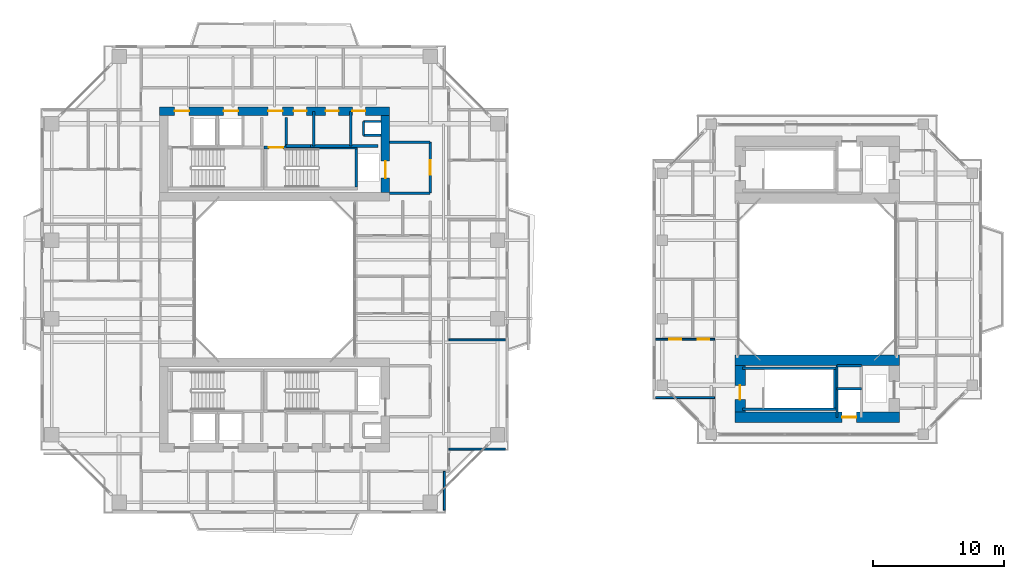
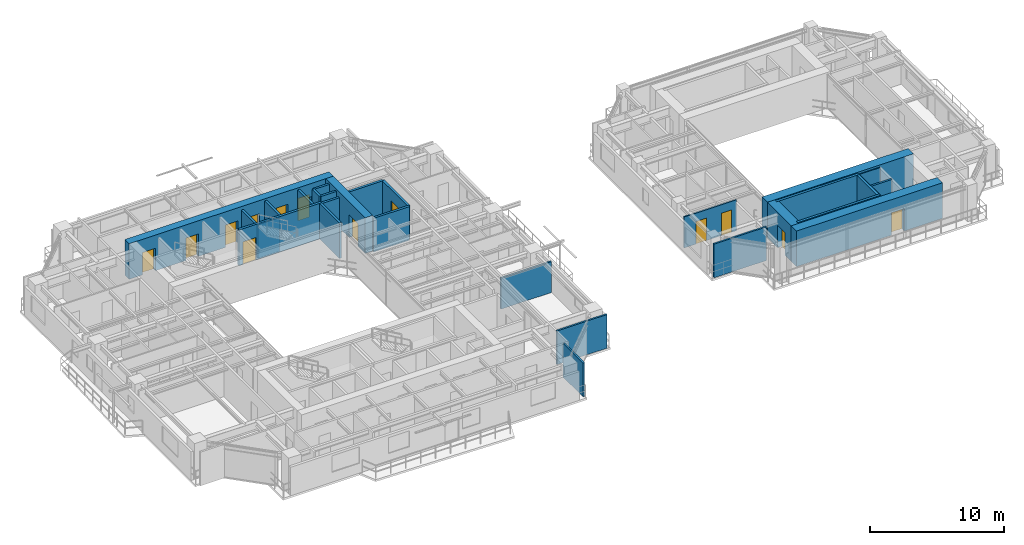
# One storey, part 16 of 24: 29 walls, 13 doors, 13 openings.
"""IFC4 building model written with IfcOpenShell, lengths in metres."""

from ifc_helpers import new_model, si_unit, direction, frame, frame_2d, origin, place, context, subcontext, project, spatial, rectangle, extrude, source, transform, mapped, material, layer, layer_set, type_object, element, fill, save


model = new_model("IFC4")

# Units and contexts
model_context = context("Model", 3, precision=1e-05, world=origin(), true_north=direction((0.0, 1.0)))
body_context = subcontext(model_context, "Body", "Model", "MODEL_VIEW")
ifc_project = project(units=[si_unit("LENGTHUNIT", "METRE"), si_unit("AREAUNIT", "SQUARE_METRE"), si_unit("VOLUMEUNIT", "CUBIC_METRE"), si_unit("PLANEANGLEUNIT", "RADIAN"), si_unit("MASSUNIT", "GRAM", prefix="KILO"), si_unit("THERMODYNAMICTEMPERATUREUNIT", "KELVIN"), si_unit("POWERUNIT", "WATT")], contexts=[model_context])

# Site, building, storey
site_placement = place(None, origin())
site = spatial("IfcSite", under=ifc_project, at=site_placement, CompositionType="ELEMENT")
building_placement = place(site_placement, origin())
building = spatial("IfcBuilding", under=site, at=building_placement, Name="Qiaomeng Ring Towers", CompositionType="ELEMENT")
storey_placement = place(building_placement, frame((0.0, 0.0, 110.0)))
storey = spatial("IfcBuildingStorey", under=building, at=storey_placement, Name="L31", CompositionType="ELEMENT", Elevation=110.0)

# Walls
ifc_material_1 = material(Name="Autoclaved aerated concrete block", Category="concrete")
ifc_layer_1 = layer(ifc_material_1, 0.199951171875, Name="Autoclaved aerated concrete block")
ifc_layer_set_1 = layer_set([ifc_layer_1], Name="Autoclaved aerated concrete block")
wall_type_1 = type_object("IfcWallType", Name="ARC-WL-PW1", PredefinedType="PARTITIONING", material=ifc_layer_set_1)
for number, where, z_axis, x_axis, name in (
    (1, (27.800048828125, 29.60009765625, 0.0), (0.0, 0.0, 1.0), (1.0, 0.0, 0.0), "L31 Interior Wall PW1"),
    (2, (27.800048828125, 33.5, 0.0), (0.0, 0.0, 1.0), (1.0, 0.0, 0.0), "L31 Interior Wall PW1"),
):
    element("IfcWall", number, at=place(storey_placement, frame(where, z_axis=z_axis, x_axis=x_axis)), inside=storey, type_object=wall_type_1, Name=name, PredefinedType="PARTITIONING", context=body_context, shape_type="SweptSolid", body=[
        extrude(rectangle(XDim=3.099853515625, YDim=0.199951171875, at=frame_2d((1.5498046875, 0.0))), origin(), (0.0, 0.0, 1.0), 3.070068359375),
    ])

# Wall, opening, door
wall_1_placement = place(storey_placement, frame((30.89990234375, 29.60009765625, 0.0), z_axis=(0.0, 0.0, 1.0), x_axis=(0.0, 1.0, 0.0)))
wall_1 = element("IfcWall", 3, at=wall_1_placement, inside=storey, type_object=wall_type_1, Name="L31 Interior Wall PW1", PredefinedType="PARTITIONING", context=body_context, shape_type="SweptSolid", body=[
    extrude(rectangle(XDim=3.89990234375, YDim=0.199951171875, at=frame_2d((1.949951171875, 0.0))), origin(), (0.0, 0.0, 1.0), 3.070068359375),
])
opening_1_placement = place(wall_1_placement, frame((1.39990234375, 0.0, 0.0)))
opening_1 = element("IfcOpeningElement", 4, at=opening_1_placement, cuts=wall_1, Name="Opening FD3", PredefinedType="OPENING", context=body_context, shape_type="SweptSolid", body=[
    extrude(rectangle(XDim=1.10009765625, YDim=2.050048828125, at=frame_2d((0.550048828125, 1.02490234375))), frame((0.0, 0.10986328125, 0.0), z_axis=(0.0, -1.0, 0.0), x_axis=(1.0, 0.0, 0.0)), (0.0, 0.0, 1.0), 0.219970703125),
])
ifc_material_2 = material(Name="Galvanised steel", Category="steel")
door_type_1 = type_object("IfcDoorType", Name="ARC-DR-FD3", OperationType="NOTDEFINED", PredefinedType="DOOR", material=ifc_material_2)
shared_shape_1 = source(origin(), body_context, "Body", "SweptSolid", [
    extrude(rectangle(XDim=1.10009765625, YDim=2.050048828125, at=frame_2d((0.550048828125, 1.02490234375))), frame((0.0, 0.02490234375, 0.0), z_axis=(0.0, -1.0, 0.0), x_axis=(1.0, 0.0, 0.0)), (0.0, 0.0, 1.0), 0.050048828125),
])
door_1_placement = place(opening_1_placement, origin())
door_1 = element("IfcDoor", 5, at=door_1_placement, inside=storey, type_object=door_type_1, Name="L31 North FF Lobby Door", OperationType="SINGLE_SWING_LEFT", OverallHeight=2.050048828125, OverallWidth=1.10009765625, PredefinedType="DOOR", context=body_context, shape_type="MappedRepresentation", body=[
    mapped(shared_shape_1, transform((0.0, 0.0, 0.0), x_axis=(1.0, 0.0, 0.0), y_axis=(0.0, 1.0, 0.0), z_axis=(0.0, 0.0, 1.0), scale=1.0)),
])
fill(opening_1, door_1)

# Walls
wall_2_placement = place(storey_placement, frame((19.8798828125, 33.18994140625, 0.0), z_axis=(0.0, 0.0, 1.0), x_axis=(0.0, 1.0, 0.0)))
element("IfcWall", 6, at=wall_2_placement, inside=storey, type_object=wall_type_1, Name="L31 Interior Wall PW1", PredefinedType="PARTITIONING", context=body_context, shape_type="SweptSolid", body=[
    extrude(rectangle(XDim=2.2099609375, YDim=0.199951171875, at=frame_2d((1.10498046875, 0.0))), origin(), (0.0, 0.0, 1.0), 3.070068359375),
])
wall_3_placement = place(storey_placement, frame((24.820068359375, 33.199951171875, 0.0), z_axis=(0.0, 0.0, 1.0), x_axis=(0.0, 1.0, 0.0)))
element("IfcWall", 7, at=wall_3_placement, inside=storey, type_object=wall_type_1, Name="L31 Interior Wall PW1", PredefinedType="PARTITIONING", context=body_context, shape_type="SweptSolid", body=[
    extrude(rectangle(XDim=2.650146484375, YDim=0.199951171875, at=frame_2d((1.3251953125, 0.0))), origin(), (0.0, 0.0, 1.0), 3.070068359375),
])
wall_4_placement = place(storey_placement, frame((19.8798828125, 33.199951171875, 0.0), z_axis=(0.0, 0.0, 1.0), x_axis=(1.0, 0.0, 0.0)))
element("IfcWall", 8, at=wall_4_placement, inside=storey, type_object=wall_type_1, Name="L31 Interior Wall PW1", PredefinedType="PARTITIONING", context=body_context, shape_type="SweptSolid", body=[
    extrude(rectangle(XDim=1.8701171875, YDim=0.199951171875, at=frame_2d((0.93505859375, 0.0))), origin(), (0.0, 0.0, 1.0), 3.070068359375),
])
wall_5_placement = place(storey_placement, frame((21.97998046875, 33.199951171875, 0.0), z_axis=(0.0, 0.0, 1.0), x_axis=(0.0, 1.0, 0.0)))
element("IfcWall", 9, at=wall_5_placement, inside=storey, type_object=wall_type_1, Name="L31 Interior Wall PW1", PredefinedType="PARTITIONING", context=body_context, shape_type="SweptSolid", body=[
    extrude(rectangle(XDim=2.650146484375, YDim=0.199951171875, at=frame_2d((1.3251953125, 0.0))), origin(), (0.0, 0.0, 1.0), 3.070068359375),
])
wall_6_placement = place(storey_placement, frame((21.75, 33.199951171875, 0.0), z_axis=(0.0, 0.0, 1.0), x_axis=(1.0, 0.0, 0.0)))
element("IfcWall", 10, at=wall_6_placement, inside=storey, type_object=wall_type_1, Name="L31 Interior Wall PW1", PredefinedType="PARTITIONING", context=body_context, shape_type="SweptSolid", body=[
    extrude(rectangle(XDim=5.169921875, YDim=0.199951171875, at=frame_2d((2.5849609375, 0.0))), origin(), (0.0, 0.0, 1.0), 3.070068359375),
])
ifc_material_3 = material(Name="Gypsum fireboard steel-stud partition", Category="steel")
ifc_layer_2 = layer(ifc_material_3, 0.14990234375, Name="Gypsum fireboard steel-stud partition")
ifc_layer_set_2 = layer_set([ifc_layer_2], Name="Gypsum fireboard steel-stud partition")
wall_type_2 = type_object("IfcWallType", Name="ARC-WL-PW3", PredefinedType="PARTITIONING", material=ifc_layer_set_2)
wall_7_placement = place(storey_placement, frame((31.97998046875, 5.35009765625, 0.0), z_axis=(0.0, 0.0, 1.0), x_axis=(0.0, 1.0, 0.0)))
element("IfcWall", 11, at=wall_7_placement, inside=storey, type_object=wall_type_2, Name="L31 Interior Wall PW3", PredefinedType="PARTITIONING", context=body_context, shape_type="SweptSolid", body=[
    extrude(rectangle(XDim=2.9599609375, YDim=0.14990234375, at=frame_2d((1.47998046875, 0.0))), origin(), (0.0, 0.0, 1.0), 3.070068359375),
])
wall_8_placement = place(storey_placement, frame((32.320068359375, 10.02001953125, 0.0), z_axis=(0.0, 0.0, 1.0), x_axis=(1.0, 0.0, 0.0)))
element("IfcWall", 12, at=wall_8_placement, inside=storey, type_object=wall_type_2, Name="L31 Interior Wall PW3", PredefinedType="PARTITIONING", context=body_context, shape_type="SweptSolid", body=[
    extrude(rectangle(XDim=4.329833984375, YDim=0.14990234375, at=frame_2d((2.1650390625, 0.0))), origin(), (0.0, 0.0, 1.0), 3.070068359375),
])
wall_9_placement = place(storey_placement, frame((32.320068359375, 18.3701171875, 0.0), z_axis=(0.0, 0.0, 1.0), x_axis=(1.0, 0.0, 0.0)))
element("IfcWall", 13, at=wall_9_placement, inside=storey, type_object=wall_type_2, Name="L31 Interior Wall PW3", PredefinedType="PARTITIONING", context=body_context, shape_type="SweptSolid", body=[
    extrude(rectangle(XDim=4.329833984375, YDim=0.14990234375, at=frame_2d((2.1650390625, 0.0))), origin(), (0.0, 0.0, 1.0), 2.821044921875),
])
wall_10_placement = place(storey_placement, frame((48.14990234375, 13.949951171875, 0.0), z_axis=(0.0, 0.0, 1.0), x_axis=(1.0, 0.0, 0.0)))
element("IfcWall", 14, at=wall_10_placement, inside=storey, type_object=wall_type_2, Name="L31 Interior Wall PW3", PredefinedType="PARTITIONING", context=body_context, shape_type="SweptSolid", body=[
    extrude(rectangle(XDim=4.5, YDim=0.14990234375, at=frame_2d((2.25, 0.0))), origin(), (0.0, 0.0, 1.0), 3.070068359375),
])

# Wall, openings, doors
ifc_material_4 = material(Name="Moisture-resistant gypsum steel-stud partition", Category="steel")
ifc_layer_3 = layer(ifc_material_4, 0.1201171875, Name="Moisture-resistant gypsum steel-stud partition")
ifc_layer_set_3 = layer_set([ifc_layer_3], Name="Moisture-resistant gypsum steel-stud partition")
wall_type_3 = type_object("IfcWallType", Name="ARC-WL-PW4", PredefinedType="PLUMBINGWALL", material=ifc_layer_set_3)
wall_11_placement = place(storey_placement, frame((48.14990234375, 18.419921875, 0.0), z_axis=(0.0, 0.0, 1.0), x_axis=(1.0, 0.0, 0.0)))
wall_11 = element("IfcWall", 15, at=wall_11_placement, inside=storey, type_object=wall_type_3, Name="L31 Interior Wall PW4", PredefinedType="PLUMBINGWALL", context=body_context, shape_type="SweptSolid", body=[
    extrude(rectangle(XDim=4.5, YDim=0.1201171875, at=frame_2d((2.25, 0.0))), origin(), (0.0, 0.0, 1.0), 2.821044921875),
])
opening_2_placement = place(wall_11_placement, frame((1.035888671875, 0.0, 0.0)))
opening_2 = element("IfcOpeningElement", 16, at=opening_2_placement, cuts=wall_11, Name="Opening ID1", PredefinedType="OPENING", context=body_context, shape_type="SweptSolid", body=[
    extrude(rectangle(XDim=0.89990234375, YDim=2.050048828125, at=frame_2d((0.449951171875, 1.02490234375))), frame((0.0, 0.070068359375, 0.0), z_axis=(0.0, -1.0, 0.0), x_axis=(1.0, 0.0, 0.0)), (0.0, 0.0, 1.0), 0.14013671875),
])
opening_3_placement = place(wall_11_placement, frame((3.22998046875, 0.0, 0.0)))
opening_3 = element("IfcOpeningElement", 17, at=opening_3_placement, cuts=wall_11, Name="Opening ID2", PredefinedType="OPENING", context=body_context, shape_type="SweptSolid", body=[
    extrude(rectangle(XDim=0.85009765625, YDim=2.050048828125, at=frame_2d((0.425048828125, 1.02490234375))), frame((0.0, 0.070068359375, 0.0), z_axis=(0.0, -1.0, 0.0), x_axis=(1.0, 0.0, 0.0)), (0.0, 0.0, 1.0), 0.14013671875),
])
ifc_material_5 = material(Name="Moisture-resistant engineered timber", Category="wood")
door_type_2 = type_object("IfcDoorType", Name="ARC-DR-ID2", OperationType="NOTDEFINED", PredefinedType="DOOR", material=ifc_material_5)
shared_shape_2 = source(origin(), body_context, "Body", "SweptSolid", [
    extrude(rectangle(XDim=0.85009765625, YDim=2.050048828125, at=frame_2d((0.425048828125, 1.02490234375))), frame((0.0, 0.02490234375, 0.0), z_axis=(0.0, -1.0, 0.0), x_axis=(1.0, 0.0, 0.0)), (0.0, 0.0, 1.0), 0.050048828125),
])
door_2_placement = place(opening_3_placement, origin())
door_2 = element("IfcDoor", 18, at=door_2_placement, inside=storey, type_object=door_type_2, Name="L31 Door ID2", OperationType="SINGLE_SWING_LEFT", OverallHeight=2.050048828125, OverallWidth=0.85009765625, PredefinedType="DOOR", context=body_context, shape_type="MappedRepresentation", body=[
    mapped(shared_shape_2, transform((0.0, 0.0, 0.0), x_axis=(1.0, 0.0, 0.0), y_axis=(0.0, 1.0, 0.0), z_axis=(0.0, 0.0, 1.0), scale=1.0)),
])
fill(opening_3, door_2)
ifc_material_6 = material(Name="Engineered oak timber", Category="wood")
door_type_3 = type_object("IfcDoorType", Name="ARC-DR-ID1", OperationType="NOTDEFINED", PredefinedType="DOOR", material=ifc_material_6)
shared_shape_3 = source(origin(), body_context, "Body", "SweptSolid", [
    extrude(rectangle(XDim=0.89990234375, YDim=2.050048828125, at=frame_2d((0.449951171875, 1.02490234375))), frame((0.0, 0.02490234375, 0.0), z_axis=(0.0, -1.0, 0.0), x_axis=(1.0, 0.0, 0.0)), (0.0, 0.0, 1.0), 0.050048828125),
])
door_3_placement = place(opening_2_placement, origin())
door_3 = element("IfcDoor", 19, at=door_3_placement, inside=storey, type_object=door_type_3, Name="L31 Door ID1", OperationType="SINGLE_SWING_RIGHT", OverallHeight=2.050048828125, OverallWidth=0.89990234375, PredefinedType="DOOR", context=body_context, shape_type="MappedRepresentation", body=[
    mapped(shared_shape_3, transform((0.0, 0.0, 0.0), x_axis=(1.0, 0.0, 0.0), y_axis=(0.0, 1.0, 0.0), z_axis=(0.0, 0.0, 1.0), scale=1.0)),
])
fill(opening_2, door_3)

# Walls
ifc_material_7 = material(Name="Concrete C40", Category="concrete")
ifc_layer_4 = layer(ifc_material_7, 0.199951171875, Name="Concrete C40")
ifc_layer_set_4 = layer_set([ifc_layer_4], Name="Concrete C40")
wall_type_4 = type_object("IfcWallType", Name="STR-WL-STSHAFT", PredefinedType="SHEAR", material=ifc_layer_set_4)
wall_12_placement = place(storey_placement, frame((25.800048828125, 34.02001953125, 0.0), z_axis=(0.0, 0.0, 1.0), x_axis=(0.0, 1.0, 0.0)))
element("IfcWall", 20, at=wall_12_placement, inside=storey, type_object=wall_type_4, Name="L31 Riser RSR1 West Shaft Wall N", PredefinedType="SHEAR", context=body_context, shape_type="SweptSolid", body=[
    extrude(rectangle(XDim=1.06005859375, YDim=0.179931640625, at=frame_2d((0.530029296875, 0.0))), origin(), (0.0, 0.0, 1.0), 3.070068359375),
])
for number, where, z_axis, x_axis, name in (
    (21, (25.800048828125, 35.080078125, 0.0), (0.0, 0.0, 1.0), (1.0, 0.0, 0.0), "L31 Riser RSR1 North Shaft Wall N"),
    (22, (25.800048828125, 34.02001953125, 0.0), (0.0, 0.0, 1.0), (1.0, 0.0, 0.0), "L31 Riser RSR1 South Shaft Wall N"),
):
    element("IfcWall", number, at=place(storey_placement, frame(where, z_axis=z_axis, x_axis=x_axis)), inside=storey, type_object=wall_type_4, Name=name, PredefinedType="SHEAR", context=body_context, shape_type="SweptSolid", body=[
        extrude(rectangle(XDim=1.349853515625, YDim=0.179931640625, at=frame_2d((0.6748046875, 0.0))), origin(), (0.0, 0.0, 1.0), 3.070068359375),
    ])
wall_13_placement = place(storey_placement, frame((62.02001953125, 12.449951171875, 0.0), z_axis=(0.0, 0.0, 1.0), x_axis=(0.0, 1.0, 0.0)))
element("IfcWall", 23, at=wall_13_placement, inside=storey, type_object=wall_type_4, Name="L31 Companion Lift Shaft West Wall S", PredefinedType="SHEAR", context=body_context, shape_type="SweptSolid", body=[
    extrude(rectangle(XDim=3.949951171875, YDim=0.179931640625, at=frame_2d((1.97509765625, 0.0))), origin(), (0.0, 0.0, 1.0), 3.070068359375),
])
for number, where, z_axis, x_axis, name in (
    (24, (62.02001953125, 14.6201171875, 0.0), (0.0, 0.0, 1.0), (1.0, 0.0, 0.0), "L31 Companion Lift Shaft Divider Wall S"),
    (25, (62.02001953125, 16.39990234375, 0.0), (0.0, 0.0, 1.0), (1.0, 0.0, 0.0), "L31 Companion Riser Shaft Back Wall S"),
):
    element("IfcWall", number, at=place(storey_placement, frame(where, z_axis=z_axis, x_axis=x_axis)), inside=storey, type_object=wall_type_4, Name=name, PredefinedType="SHEAR", context=body_context, shape_type="SweptSolid", body=[
        extrude(rectangle(XDim=1.85986328125, YDim=0.179931640625, at=frame_2d((0.929931640625, 0.0))), origin(), (0.0, 0.0, 1.0), 3.070068359375),
    ])

# Wall, opening, door
wall_14_placement = place(storey_placement, frame((18.199951171875, 33.090087890625, 0.0), z_axis=(0.0, 0.0, 1.0), x_axis=(1.0, 0.0, 0.0)))
wall_14 = element("IfcWall", 26, at=wall_14_placement, inside=storey, type_object=wall_type_4, Name="L31 Stair ST2 North Shaft Shear Wall", PredefinedType="SHEAR", context=body_context, shape_type="SweptSolid", body=[
    extrude(rectangle(XDim=7.150146484375, YDim=0.199951171875, at=frame_2d((3.5751953125, 0.0))), origin(), (0.0, 0.0, 1.0), 3.25),
])
opening_4_placement = place(wall_14_placement, frame((0.35009765625, 0.0, 0.0)))
opening_4 = element("IfcOpeningElement", 27, at=opening_4_placement, cuts=wall_14, Name="Opening FD3", PredefinedType="OPENING", context=body_context, shape_type="SweptSolid", body=[
    extrude(rectangle(XDim=1.10009765625, YDim=2.050048828125, at=frame_2d((0.550048828125, 1.02490234375))), frame((0.0, 0.10986328125, 0.0), z_axis=(0.0, -1.0, 0.0), x_axis=(1.0, 0.0, 0.0)), (0.0, 0.0, 1.0), 0.219970703125),
])
door_4_placement = place(opening_4_placement, origin())
door_4 = element("IfcDoor", 28, at=door_4_placement, inside=storey, type_object=door_type_1, Name="L31 Stair ST2 Exit Door", OperationType="SINGLE_SWING_RIGHT", OverallHeight=2.050048828125, OverallWidth=1.10009765625, PredefinedType="DOOR", context=body_context, shape_type="MappedRepresentation", body=[
    mapped(shared_shape_1, transform((0.0, 0.0, 0.0), x_axis=(1.0, 0.0, 0.0), y_axis=(0.0, 1.0, 0.0), z_axis=(0.0, 0.0, 1.0), scale=1.0)),
])
fill(opening_4, door_4)

# Walls
wall_15_placement = place(storey_placement, frame((25.25, 30.050048828125, 0.0), z_axis=(0.0, 0.0, 1.0), x_axis=(0.0, 1.0, 0.0)))
element("IfcWall", 29, at=wall_15_placement, inside=storey, type_object=wall_type_4, Name="L31 Stair ST2 East Shaft Shear Wall", PredefinedType="SHEAR", context=body_context, shape_type="SweptSolid", body=[
    extrude(rectangle(XDim=2.93994140625, YDim=0.199951171875, at=frame_2d((1.469970703125, 0.0))), origin(), (0.0, 0.0, 1.0), 3.25),
])
for number, where, z_axis, x_axis, name in (
    (30, (54.800048828125, 13.06005859375, 0.0), (0.0, 0.0, 1.0), (1.0, 0.0, 0.0), "L31 Stair ST6 South Shaft Shear Wall"),
    (31, (54.800048828125, 16.199951171875, 0.0), (0.0, 0.0, 1.0), (1.0, 0.0, 0.0), "L31 Stair ST6 North Shaft Shear Wall"),
):
    element("IfcWall", number, at=place(storey_placement, frame(where, z_axis=z_axis, x_axis=x_axis)), inside=storey, type_object=wall_type_4, Name=name, PredefinedType="SHEAR", context=body_context, shape_type="SweptSolid", body=[
        extrude(rectangle(XDim=7.14990234375, YDim=0.199951171875, at=frame_2d((3.574951171875, 0.0))), origin(), (0.0, 0.0, 1.0), 3.25),
    ])
wall_16_placement = place(storey_placement, frame((61.85009765625, 13.159912109375, 0.0), z_axis=(0.0, 0.0, 1.0), x_axis=(0.0, 1.0, 0.0)))
element("IfcWall", 32, at=wall_16_placement, inside=storey, type_object=wall_type_4, Name="L31 Stair ST6 East Shaft Shear Wall", PredefinedType="SHEAR", context=body_context, shape_type="SweptSolid", body=[
    extrude(rectangle(XDim=2.940185546875, YDim=0.199951171875, at=frame_2d((1.47021484375, 0.0))), origin(), (0.0, 0.0, 1.0), 3.25),
])

# Wall, opening, door
ifc_material_8 = material(Name="Concrete C60", Category="concrete")
ifc_layer_5 = layer(ifc_material_8, 0.800048828125, Name="Concrete C60")
ifc_layer_set_5 = layer_set([ifc_layer_5], Name="Concrete C60")
wall_type_5 = type_object("IfcWallType", Name="STR-WL-SW1", PredefinedType="SHEAR", material=ifc_layer_set_5)
wall_17_placement = place(storey_placement, frame((54.199951171875, 12.449951171875, 0.0), z_axis=(0.0, 0.0, 1.0), x_axis=(1.0, 0.0, 0.0)))
wall_17 = element("IfcWall", 33, at=wall_17_placement, inside=storey, type_object=wall_type_5, Name="L31 T2SC south core shear wall", PredefinedType="SHEAR", context=body_context, shape_type="SweptSolid", body=[
    extrude(rectangle(XDim=12.60009765625, YDim=0.800048828125, at=frame_2d((6.300048828125, 0.0))), origin(), (0.0, 0.0, 1.0), 3.25),
])
opening_5_placement = place(wall_17_placement, frame((8.199951171875, 0.0, 0.0)))
opening_5 = element("IfcOpeningElement", 34, at=opening_5_placement, cuts=wall_17, Name="Opening LD1", PredefinedType="OPENING", context=body_context, shape_type="SweptSolid", body=[
    extrude(rectangle(XDim=1.10009765625, YDim=2.050048828125, at=frame_2d((0.550048828125, 1.02490234375))), frame((0.0, 0.409912109375, 0.0), z_axis=(0.0, -1.0, 0.0), x_axis=(1.0, 0.0, 0.0)), (0.0, 0.0, 1.0), 0.820068359375),
])
ifc_material_9 = material(Name="Stainless steel 316", Category="steel")
door_type_4 = type_object("IfcDoorType", Name="ARC-DR-LD1", OperationType="NOTDEFINED", PredefinedType="DOOR", material=ifc_material_9)
door_5_placement = place(opening_5_placement, origin())
door_5 = element("IfcDoor", 35, at=door_5_placement, inside=storey, type_object=door_type_4, Name="L31 Companion Lift LP8 Landing Door", OperationType="SLIDING_TO_RIGHT", OverallHeight=2.050048828125, OverallWidth=1.10009765625, PredefinedType="DOOR", context=body_context, shape_type="MappedRepresentation", body=[
    mapped(shared_shape_1, transform((0.0, 0.0, 0.0), x_axis=(1.0, 0.0, 0.0), y_axis=(0.0, 1.0, 0.0), z_axis=(0.0, 0.0, 1.0), scale=1.0)),
])
fill(opening_5, door_5)

# Wall
wall_18_placement = place(storey_placement, frame((54.199951171875, 16.800048828125, 0.0), z_axis=(0.0, 0.0, 1.0), x_axis=(1.0, 0.0, 0.0)))
element("IfcWall", 36, at=wall_18_placement, inside=storey, type_object=wall_type_5, Name="L31 T2SC north core shear wall", PredefinedType="SHEAR", context=body_context, shape_type="SweptSolid", body=[
    extrude(rectangle(XDim=12.60009765625, YDim=0.800048828125, at=frame_2d((6.300048828125, 0.0))), origin(), (0.0, 0.0, 1.0), 3.25),
])

# Wall, opening, door
wall_19_placement = place(storey_placement, frame((54.60009765625, 12.85009765625, 0.0), z_axis=(0.0, 0.0, 1.0), x_axis=(0.0, 1.0, 0.0)))
wall_19 = element("IfcWall", 37, at=wall_19_placement, inside=storey, type_object=wall_type_5, Name="L31 T2SC west core shear wall", PredefinedType="SHEAR", context=body_context, shape_type="SweptSolid", body=[
    extrude(rectangle(XDim=3.5498046875, YDim=0.800048828125, at=frame_2d((1.77490234375, 0.0))), origin(), (0.0, 0.0, 1.0), 3.25),
])
opening_6_placement = place(wall_19_placement, frame((0.949951171875, 0.0, 0.0)))
opening_6 = element("IfcOpeningElement", 38, at=opening_6_placement, cuts=wall_19, Name="Opening FD3", PredefinedType="OPENING", context=body_context, shape_type="SweptSolid", body=[
    extrude(rectangle(XDim=1.10009765625, YDim=2.050048828125, at=frame_2d((0.550048828125, 1.02490234375))), frame((0.0, 0.409912109375, 0.0), z_axis=(0.0, -1.0, 0.0), x_axis=(1.0, 0.0, 0.0)), (0.0, 0.0, 1.0), 0.820068359375),
])
door_6_placement = place(opening_6_placement, origin())
door_6 = element("IfcDoor", 39, at=door_6_placement, inside=storey, type_object=door_type_1, Name="L31 Stair ST6 Exit Door", OperationType="SINGLE_SWING_LEFT", OverallHeight=2.050048828125, OverallWidth=1.10009765625, PredefinedType="DOOR", context=body_context, shape_type="MappedRepresentation", body=[
    mapped(shared_shape_1, transform((0.0, 0.0, 0.0), x_axis=(1.0, 0.0, 0.0), y_axis=(0.0, 1.0, 0.0), z_axis=(0.0, 0.0, 1.0), scale=1.0)),
])
fill(opening_6, door_6)

# Wall, openings, doors
ifc_material_10 = material(Name="Concrete C55", Category="concrete")
ifc_layer_6 = layer(ifc_material_10, 0.64990234375, Name="Concrete C55")
ifc_layer_set_6 = layer_set([ifc_layer_6], Name="Concrete C55")
wall_type_6 = type_object("IfcWallType", Name="STR-WL-SW2A", PredefinedType="SHEAR", material=ifc_layer_set_6)
wall_20_placement = place(storey_placement, frame((10.199951171875, 35.875, 0.0), z_axis=(0.0, 0.0, 1.0), x_axis=(1.0, 0.0, 0.0)))
wall_20 = element("IfcWall", 40, at=wall_20_placement, inside=storey, type_object=wall_type_6, Name="L31 T1NC north core shear wall", PredefinedType="SHEAR", context=body_context, shape_type="SweptSolid", body=[
    extrude(rectangle(XDim=17.60009765625, YDim=0.64990234375, at=frame_2d((8.800048828125, 0.0))), origin(), (0.0, 0.0, 1.0), 3.25),
])
opening_7_placement = place(wall_20_placement, frame((1.14990234375, 0.0, 0.0)))
opening_7 = element("IfcOpeningElement", 41, at=opening_7_placement, cuts=wall_20, Name="Opening FD3", PredefinedType="OPENING", context=body_context, shape_type="SweptSolid", body=[
    extrude(rectangle(XDim=1.10009765625, YDim=2.050048828125, at=frame_2d((0.550048828125, 1.02490234375))), frame((0.0, 0.3349609375, 0.0), z_axis=(0.0, -1.0, 0.0), x_axis=(1.0, 0.0, 0.0)), (0.0, 0.0, 1.0), 0.669921875),
])
opening_8_placement = place(wall_20_placement, frame((8.300048828125, 0.0, 0.0)))
opening_8 = element("IfcOpeningElement", 42, at=opening_8_placement, cuts=wall_20, Name="Opening FD3", PredefinedType="OPENING", context=body_context, shape_type="SweptSolid", body=[
    extrude(rectangle(XDim=1.10009765625, YDim=2.050048828125, at=frame_2d((0.550048828125, 1.02490234375))), frame((0.0, 0.3349609375, 0.0), z_axis=(0.0, -1.0, 0.0), x_axis=(1.0, 0.0, 0.0)), (0.0, 0.0, 1.0), 0.669921875),
])
opening_9_placement = place(wall_20_placement, frame((4.89990234375, 0.0, 0.0)))
opening_9 = element("IfcOpeningElement", 43, at=opening_9_placement, cuts=wall_20, Name="Opening LD1", PredefinedType="OPENING", context=body_context, shape_type="SweptSolid", body=[
    extrude(rectangle(XDim=1.10009765625, YDim=2.050048828125, at=frame_2d((0.550048828125, 1.02490234375))), frame((0.0, 0.3349609375, 0.0), z_axis=(0.0, -1.0, 0.0), x_axis=(1.0, 0.0, 0.0)), (0.0, 0.0, 1.0), 0.669921875),
])
opening_10_placement = place(wall_20_placement, frame((14.739990234375, 0.0, 0.0)))
opening_10 = element("IfcOpeningElement", 44, at=opening_10_placement, cuts=wall_20, Name="Opening FD1", PredefinedType="OPENING", context=body_context, shape_type="SweptSolid", body=[
    extrude(rectangle(XDim=1.0, YDim=2.050048828125, at=frame_2d((0.5, 1.02490234375))), frame((0.0, 0.3349609375, 0.0), z_axis=(0.0, -1.0, 0.0), x_axis=(1.0, 0.0, 0.0)), (0.0, 0.0, 1.0), 0.669921875),
])
opening_11_placement = place(wall_20_placement, frame((10.25, 0.0, 0.0)))
opening_11 = element("IfcOpeningElement", 45, at=opening_11_placement, cuts=wall_20, Name="Opening FD1", PredefinedType="OPENING", context=body_context, shape_type="SweptSolid", body=[
    extrude(rectangle(XDim=1.0, YDim=2.050048828125, at=frame_2d((0.5, 1.02490234375))), frame((0.0, 0.3349609375, 0.0), z_axis=(0.0, -1.0, 0.0), x_axis=(1.0, 0.0, 0.0)), (0.0, 0.0, 1.0), 0.669921875),
])
opening_12_placement = place(wall_20_placement, frame((12.699951171875, 0.0, 0.0)))
opening_12 = element("IfcOpeningElement", 46, at=opening_12_placement, cuts=wall_20, Name="Opening FD1", PredefinedType="OPENING", context=body_context, shape_type="SweptSolid", body=[
    extrude(rectangle(XDim=1.0, YDim=2.050048828125, at=frame_2d((0.5, 1.02490234375))), frame((0.0, 0.3349609375, 0.0), z_axis=(0.0, -1.0, 0.0), x_axis=(1.0, 0.0, 0.0)), (0.0, 0.0, 1.0), 0.669921875),
])
door_7_placement = place(opening_7_placement, origin())
door_7 = element("IfcDoor", 47, at=door_7_placement, inside=storey, type_object=door_type_1, Name="L31 Stair ST1 Lobby Door", OperationType="SINGLE_SWING_LEFT", OverallHeight=2.050048828125, OverallWidth=1.10009765625, PredefinedType="DOOR", context=body_context, shape_type="MappedRepresentation", body=[
    mapped(shared_shape_1, transform((0.0, 0.0, 0.0), x_axis=(1.0, 0.0, 0.0), y_axis=(0.0, 1.0, 0.0), z_axis=(0.0, 0.0, 1.0), scale=1.0)),
])
fill(opening_7, door_7)
door_8_placement = place(opening_8_placement, origin())
door_8 = element("IfcDoor", 48, at=door_8_placement, inside=storey, type_object=door_type_1, Name="L31 Stair ST2 Lobby Door", OperationType="SINGLE_SWING_LEFT", OverallHeight=2.050048828125, OverallWidth=1.10009765625, PredefinedType="DOOR", context=body_context, shape_type="MappedRepresentation", body=[
    mapped(shared_shape_1, transform((0.0, 0.0, 0.0), x_axis=(1.0, 0.0, 0.0), y_axis=(0.0, 1.0, 0.0), z_axis=(0.0, 0.0, 1.0), scale=1.0)),
])
fill(opening_8, door_8)
door_9_placement = place(opening_9_placement, origin())
door_9 = element("IfcDoor", 49, at=door_9_placement, inside=storey, type_object=door_type_4, Name="L31 Mid-Zone Lift LP3 Landing Door", OperationType="SLIDING_TO_LEFT", OverallHeight=2.050048828125, OverallWidth=1.10009765625, PredefinedType="DOOR", context=body_context, shape_type="MappedRepresentation", body=[
    mapped(shared_shape_1, transform((0.0, 0.0, 0.0), x_axis=(1.0, 0.0, 0.0), y_axis=(0.0, 1.0, 0.0), z_axis=(0.0, 0.0, 1.0), scale=1.0)),
])
fill(opening_9, door_9)
door_type_5 = type_object("IfcDoorType", Name="ARC-DR-FD1", OperationType="NOTDEFINED", PredefinedType="DOOR", material=ifc_material_2)
shared_shape_4 = source(origin(), body_context, "Body", "SweptSolid", [
    extrude(rectangle(XDim=1.0, YDim=2.050048828125, at=frame_2d((0.5, 1.02490234375))), frame((0.0, 0.02490234375, 0.0), z_axis=(0.0, -1.0, 0.0), x_axis=(1.0, 0.0, 0.0)), (0.0, 0.0, 1.0), 0.050048828125),
])
door_10_placement = place(opening_10_placement, origin())
door_10 = element("IfcDoor", 50, at=door_10_placement, inside=storey, type_object=door_type_5, Name="L31 North Electrical Riser Door", OperationType="SINGLE_SWING_LEFT", OverallHeight=2.050048828125, OverallWidth=1.0, PredefinedType="DOOR", context=body_context, shape_type="MappedRepresentation", body=[
    mapped(shared_shape_4, transform((0.0, 0.0, 0.0), x_axis=(1.0, 0.0, 0.0), y_axis=(0.0, 1.0, 0.0), z_axis=(0.0, 0.0, 1.0), scale=1.0)),
])
fill(opening_10, door_10)
door_11_placement = place(opening_11_placement, origin())
door_11 = element("IfcDoor", 51, at=door_11_placement, inside=storey, type_object=door_type_5, Name="L31 North Cleaners Store Door", OperationType="SINGLE_SWING_LEFT", OverallHeight=2.050048828125, OverallWidth=1.0, PredefinedType="DOOR", context=body_context, shape_type="MappedRepresentation", body=[
    mapped(shared_shape_4, transform((0.0, 0.0, 0.0), x_axis=(1.0, 0.0, 0.0), y_axis=(0.0, 1.0, 0.0), z_axis=(0.0, 0.0, 1.0), scale=1.0)),
])
fill(opening_11, door_11)
door_12_placement = place(opening_12_placement, origin())
door_12 = element("IfcDoor", 52, at=door_12_placement, inside=storey, type_object=door_type_5, Name="L31 North Facilities Management Office Door", OperationType="SINGLE_SWING_RIGHT", OverallHeight=2.050048828125, OverallWidth=1.0, PredefinedType="DOOR", context=body_context, shape_type="MappedRepresentation", body=[
    mapped(shared_shape_4, transform((0.0, 0.0, 0.0), x_axis=(1.0, 0.0, 0.0), y_axis=(0.0, 1.0, 0.0), z_axis=(0.0, 0.0, 1.0), scale=1.0)),
])
fill(opening_12, door_12)

# Wall, opening, door
wall_21_placement = place(storey_placement, frame((27.47509765625, 29.64990234375, 0.0), z_axis=(0.0, 0.0, 1.0), x_axis=(0.0, 1.0, 0.0)))
wall_21 = element("IfcWall", 53, at=wall_21_placement, inside=storey, type_object=wall_type_6, Name="L31 T1NC east core shear wall", PredefinedType="SHEAR", context=body_context, shape_type="SweptSolid", body=[
    extrude(rectangle(XDim=5.900146484375, YDim=0.64990234375, at=frame_2d((2.9501953125, 0.0))), origin(), (0.0, 0.0, 1.0), 3.25),
])
opening_13_placement = place(wall_21_placement, frame((1.10009765625, 0.0, 0.0)))
opening_13 = element("IfcOpeningElement", 54, at=opening_13_placement, cuts=wall_21, Name="Opening LD2", PredefinedType="OPENING", context=body_context, shape_type="SweptSolid", body=[
    extrude(rectangle(XDim=1.300048828125, YDim=2.050048828125, at=frame_2d((0.64990234375, 1.02490234375))), frame((0.0, 0.3349609375, 0.0), z_axis=(0.0, -1.0, 0.0), x_axis=(1.0, 0.0, 0.0)), (0.0, 0.0, 1.0), 0.669921875),
])
door_type_6 = type_object("IfcDoorType", Name="ARC-DR-LD2", OperationType="NOTDEFINED", PredefinedType="DOOR", material=ifc_material_9)
shared_shape_5 = source(origin(), body_context, "Body", "SweptSolid", [
    extrude(rectangle(XDim=1.300048828125, YDim=2.050048828125, at=frame_2d((0.64990234375, 1.02490234375))), frame((0.0, 0.02490234375, 0.0), z_axis=(0.0, -1.0, 0.0), x_axis=(1.0, 0.0, 0.0)), (0.0, 0.0, 1.0), 0.050048828125),
])
door_13_placement = place(opening_13_placement, origin())
door_13 = element("IfcDoor", 55, at=door_13_placement, inside=storey, type_object=door_type_6, Name="L31 Firefighting Lift FL1 Landing Door", OperationType="SLIDING_TO_LEFT", OverallHeight=2.050048828125, OverallWidth=1.300048828125, PredefinedType="DOOR", context=body_context, shape_type="MappedRepresentation", body=[
    mapped(shared_shape_5, transform((0.0, 0.0, 0.0), x_axis=(1.0, 0.0, 0.0), y_axis=(0.0, 1.0, 0.0), z_axis=(0.0, 0.0, 1.0), scale=1.0)),
])
fill(opening_13, door_13)

save(model, "model.ifc")
